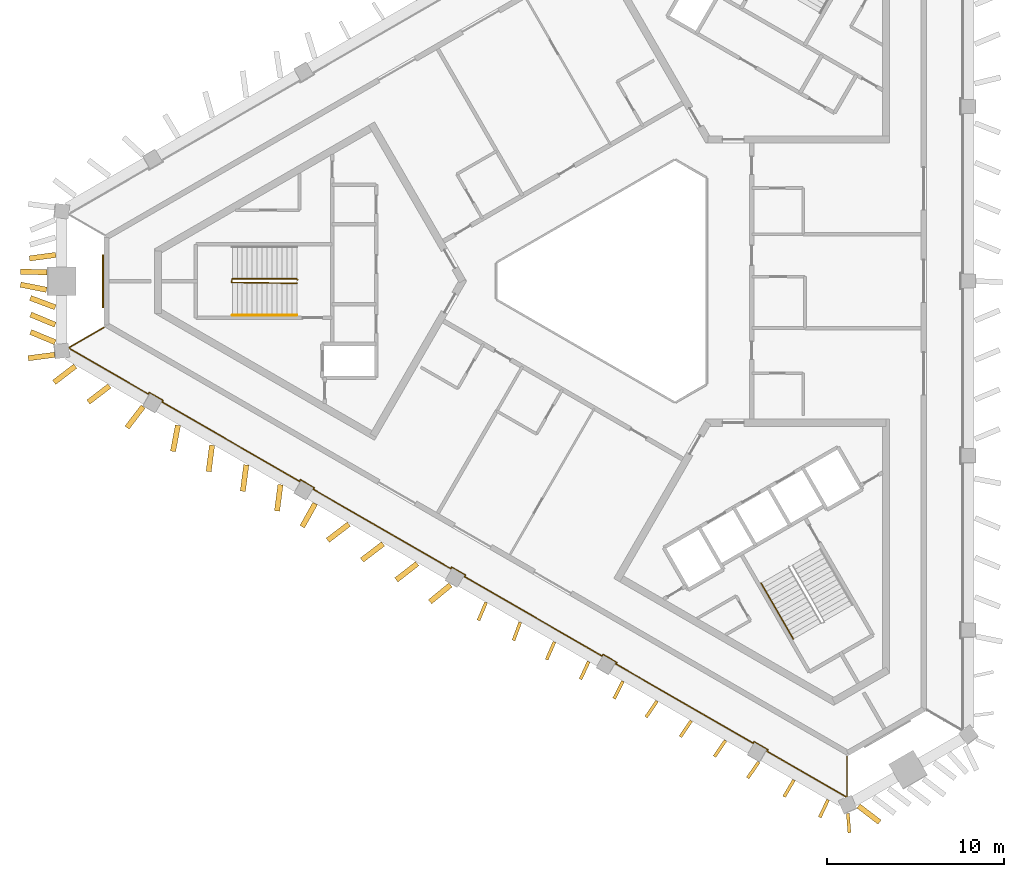
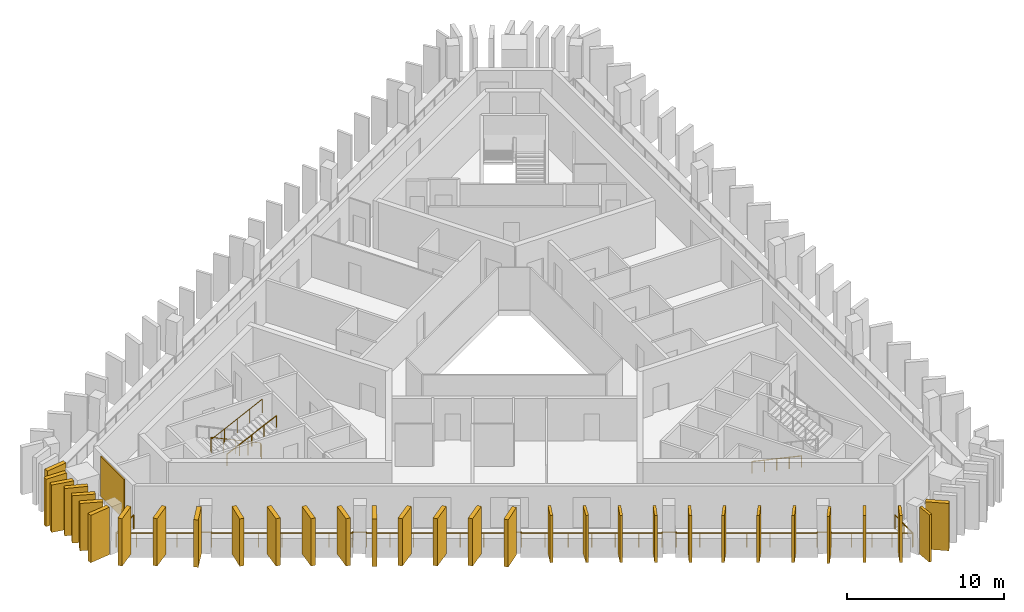
# One storey, part 7 of 9: 32 shading devices, 4 railings, 1 covering.
"""IFC4 building model written with IfcOpenShell, lengths in metres."""

from ifc_helpers import new_model, si_unit, direction, frame, frame_2d, origin, origin_2d, place, context, subcontext, project, spatial, rectangle, circle, extrude, material, layer, layer_set, type_object, element, save


model = new_model("IFC4")

# Units and contexts
model_context = context("Model", 3, precision=1e-05, world=origin(), true_north=direction((0.0, 1.0)))
body_context = subcontext(model_context, "Body", "Model", "MODEL_VIEW")
ifc_project = project(units=[si_unit("LENGTHUNIT", "METRE"), si_unit("AREAUNIT", "SQUARE_METRE"), si_unit("VOLUMEUNIT", "CUBIC_METRE"), si_unit("PLANEANGLEUNIT", "RADIAN"), si_unit("MASSUNIT", "GRAM", prefix="KILO")], contexts=[model_context])

# Site, building, storey
site_placement = place(None, origin())
site = spatial("IfcSite", under=ifc_project, at=site_placement, CompositionType="ELEMENT")
building_placement = place(site_placement, origin())
building = spatial("IfcBuilding", under=site, at=building_placement, Name="Jabali Bay Hotel Tower and Convention Centre", CompositionType="ELEMENT")
storey_placement = place(building_placement, frame((0.0, 0.0, 262.699951171875)))
storey = spatial("IfcBuildingStorey", under=building, at=storey_placement, Name="L64", CompositionType="ELEMENT", Elevation=262.699951171875)

# Railing
ifc_material_1 = material(Name="Glass", Category="glass")
railing_type_1 = type_object("IfcRailingType", Name="Loggia glass guard 1100", PredefinedType="BALUSTRADE", material=ifc_material_1)
railing_1_placement = place(storey_placement, frame((87.4716796875, 53.167236328125, 0.0)))
element("IfcRailing", 1, at=railing_1_placement, inside=storey, type_object=railing_type_1, Name="Loggia glass guard L64", PredefinedType="BALUSTRADE", context=body_context, shape_type="SweptSolid", body=[
    extrude(circle(Radius=0.02490234375, at=origin_2d()), frame((0.0, 0.0, 1.0751953125), z_axis=(0.0, -1.0, 0.0), x_axis=(0.991444861374, 0.0, 0.13052619222)), (0.0, 0.0, 1.0), 2.27490234375),
    extrude(circle(Radius=0.02490234375, at=origin_2d()), frame((0.0, -2.27490234375, 1.0751953125), z_axis=(-0.921146216294, -0.38921671111, 0.0), x_axis=(0.385886908191, -0.913265682719, 0.13052619222)), (0.0, 0.0, 1.0), 0.03759765625),
    extrude(circle(Radius=0.02490234375, at=origin_2d()), frame((-0.03466796875, -2.28955078125, 1.0751953125), z_axis=(-0.866009267952, 0.50002794704, 0.0), x_axis=(-0.495750138636, -0.858600438613, 0.13052619222)), (0.0, 0.0, 1.0), 5.165283203125),
    extrude(circle(Radius=0.02490234375, at=origin_2d()), frame((-4.5078125, 0.293212890625, 1.0751953125), z_axis=(0.501132629342, 0.865370491644, 0.0), x_axis=(-0.857967127125, 0.496845370228, 0.13052619222)), (0.0, 0.0, 1.0), 0.099853515625),
    extrude(circle(Radius=0.02490234375, at=origin_2d()), frame((-4.457763671875, 0.379638671875, 1.0751953125), z_axis=(-0.865964261186, 0.500105887137, 0.0), x_axis=(-0.495827411944, -0.858555816886, 0.13052619222)), (0.0, 0.0, 1.0), 0.900146484375),
    extrude(circle(Radius=0.02490234375, at=origin_2d()), frame((-5.2373046875, 0.829833984375, 1.0751953125), z_axis=(-0.4982416694, -0.867038199201, 0.0), x_axis=(0.859620567213, -0.493979142849, 0.13052619222)), (0.0, 0.0, 1.0), 0.099853515625),
    extrude(circle(Radius=0.02490234375, at=origin_2d()), frame((-5.287109375, 0.7431640625, 1.0751953125), z_axis=(-0.866025838688, 0.499999246724, 0.0), x_axis=(-0.495721683856, -0.858616867584, 0.13052619222)), (0.0, 0.0, 1.0), 8.95849609375),
    extrude(circle(Radius=0.02490234375, at=origin_2d()), frame((-13.04541015625, 5.222412109375, 1.0751953125), z_axis=(0.501132629342, 0.865370491644, 0.0), x_axis=(-0.857967127125, 0.496845370228, 0.13052619222)), (0.0, 0.0, 1.0), 0.099853515625),
    extrude(circle(Radius=0.02490234375, at=origin_2d()), frame((-12.995361328125, 5.308837890625, 1.0751953125), z_axis=(-0.865964261186, 0.500105887137, 0.0), x_axis=(-0.495827411944, -0.858555816886, 0.13052619222)), (0.0, 0.0, 1.0), 0.900146484375),
    extrude(circle(Radius=0.02490234375, at=origin_2d()), frame((-13.77490234375, 5.759033203125, 1.0751953125), z_axis=(-0.4982416694, -0.867038199201, 0.0), x_axis=(0.859620567213, -0.493979142849, 0.13052619222)), (0.0, 0.0, 1.0), 0.099853515625),
    extrude(circle(Radius=0.02490234375, at=origin_2d()), frame((-13.82470703125, 5.67236328125, 1.0751953125), z_axis=(-0.866025838688, 0.499999246724, 0.0), x_axis=(-0.495721683856, -0.858616867584, 0.13052619222)), (0.0, 0.0, 1.0), 8.95849609375),
    extrude(circle(Radius=0.02490234375, at=origin_2d()), frame((-21.5830078125, 10.151611328125, 1.0751953125), z_axis=(0.501132629342, 0.865370491644, 0.0), x_axis=(-0.857967127125, 0.496845370228, 0.13052619222)), (0.0, 0.0, 1.0), 0.099853515625),
    extrude(circle(Radius=0.02490234375, at=origin_2d()), frame((-21.532958984375, 10.238037109375, 1.0751953125), z_axis=(-0.865964261186, 0.500105887137, 0.0), x_axis=(-0.495827411944, -0.858555816886, 0.13052619222)), (0.0, 0.0, 1.0), 0.900146484375),
    extrude(circle(Radius=0.02490234375, at=origin_2d()), frame((-22.3125, 10.688232421875, 1.0751953125), z_axis=(-0.4982416694, -0.867038199201, 0.0), x_axis=(0.859620567213, -0.493979142849, 0.13052619222)), (0.0, 0.0, 1.0), 0.099853515625),
    extrude(circle(Radius=0.02490234375, at=origin_2d()), frame((-22.3623046875, 10.6015625, 1.0751953125), z_axis=(-0.866025838688, 0.499999246724, 0.0), x_axis=(-0.495721683856, -0.858616867584, 0.13052619222)), (0.0, 0.0, 1.0), 8.95849609375),
    extrude(circle(Radius=0.02490234375, at=origin_2d()), frame((-30.12060546875, 15.080810546875, 1.0751953125), z_axis=(0.501132629342, 0.865370491644, 0.0), x_axis=(-0.857967127125, 0.496845370228, 0.13052619222)), (0.0, 0.0, 1.0), 0.099853515625),
    extrude(circle(Radius=0.02490234375, at=origin_2d()), frame((-30.070556640625, 15.167236328125, 1.0751953125), z_axis=(-0.865964261186, 0.500105887137, 0.0), x_axis=(-0.495827411944, -0.858555816886, 0.13052619222)), (0.0, 0.0, 1.0), 0.900146484375),
    extrude(circle(Radius=0.02490234375, at=origin_2d()), frame((-30.85009765625, 15.617431640625, 1.0751953125), z_axis=(-0.4982416694, -0.867038199201, 0.0), x_axis=(0.859620567213, -0.493979142849, 0.13052619222)), (0.0, 0.0, 1.0), 0.099853515625),
    extrude(circle(Radius=0.02490234375, at=origin_2d()), frame((-30.89990234375, 15.53076171875, 1.0751953125), z_axis=(-0.866025838688, 0.499999246724, 0.0), x_axis=(-0.495721683856, -0.858616867584, 0.13052619222)), (0.0, 0.0, 1.0), 8.95849609375),
    extrude(circle(Radius=0.02490234375, at=origin_2d()), frame((-38.658203125, 20.010009765625, 1.0751953125), z_axis=(0.501132629342, 0.865370491644, 0.0), x_axis=(-0.857967127125, 0.496845370228, 0.13052619222)), (0.0, 0.0, 1.0), 0.099853515625),
    extrude(circle(Radius=0.02490234375, at=origin_2d()), frame((-38.608154296875, 20.096435546875, 1.0751953125), z_axis=(-0.866081705922, 0.499902469156, 0.0), x_axis=(-0.495625734232, -0.858672256866, 0.13052619222)), (0.0, 0.0, 1.0), 0.900146484375),
    extrude(circle(Radius=0.02490234375, at=origin_2d()), frame((-39.3876953125, 20.54638671875, 1.0751953125), z_axis=(-0.499298623879, -0.866429964967, 0.0), x_axis=(0.859017536507, -0.495027054936, 0.13052619222)), (0.0, 0.0, 1.0), 0.099853515625),
    extrude(circle(Radius=0.02490234375, at=origin_2d()), frame((-39.4375, 20.4599609375, 1.0751953125), z_axis=(-0.866041551011, 0.499972031141, 0.0), x_axis=(-0.495694701105, -0.858632445486, 0.13052619222)), (0.0, 0.0, 1.0), 5.165283203125),
    extrude(circle(Radius=0.02490234375, at=origin_2d()), frame((-43.910888671875, 23.04248046875, 1.0751953125), z_axis=(-0.124034734589, 0.992277876714, 0.0), x_axis=(-0.983788801923, -0.12297360024, 0.13052619222)), (0.0, 0.0, 1.0), 0.037353515625),
    extrude(circle(Radius=0.02490234375, at=origin_2d()), frame((-43.91552734375, 23.07958984375, 1.0751953125), z_axis=(0.866035472144, 0.499982560684, 0.0), x_axis=(-0.495705140567, 0.858626418625, 0.13052619222)), (0.0, 0.0, 1.0), 2.27490234375),
    extrude(circle(Radius=0.02001953125, at=origin_2d()), origin(), (0.0, 0.0, 1.0), 1.050048828125),
    extrude(circle(Radius=0.02001953125, at=origin_2d()), frame((0.0, -1.137451171875, 0.0)), (0.0, 0.0, 1.0), 1.050048828125),
    extrude(circle(Radius=0.02001953125, at=origin_2d()), frame((0.0, -2.27490234375, 0.0)), (0.0, 0.0, 1.0), 1.050048828125),
    extrude(circle(Radius=0.02001953125, at=origin_2d()), frame((-0.03466796875, -2.28955078125, 0.0)), (0.0, 0.0, 1.0), 1.050048828125),
    extrude(circle(Radius=0.02001953125, at=origin_2d()), frame((-1.15283203125, -1.643798828125, 0.0)), (0.0, 0.0, 1.0), 1.050048828125),
    extrude(circle(Radius=0.02001953125, at=origin_2d()), frame((-2.271240234375, -0.998046875, 0.0)), (0.0, 0.0, 1.0), 1.050048828125),
    extrude(circle(Radius=0.02001953125, at=origin_2d()), frame((-3.3896484375, -0.3525390625, 0.0)), (0.0, 0.0, 1.0), 1.050048828125),
    extrude(circle(Radius=0.02001953125, at=origin_2d()), frame((-4.5078125, 0.293212890625, 0.0)), (0.0, 0.0, 1.0), 1.050048828125),
    extrude(circle(Radius=0.02001953125, at=origin_2d()), frame((-4.457763671875, 0.379638671875, 0.0)), (0.0, 0.0, 1.0), 1.050048828125),
    extrude(circle(Radius=0.02001953125, at=origin_2d()), frame((-5.2373046875, 0.829833984375, 0.0)), (0.0, 0.0, 1.0), 1.050048828125),
    extrude(circle(Radius=0.02001953125, at=origin_2d()), frame((-5.287109375, 0.7431640625, 0.0)), (0.0, 0.0, 1.0), 1.050048828125),
    extrude(circle(Radius=0.02001953125, at=origin_2d()), frame((-6.580078125, 1.48974609375, 0.0)), (0.0, 0.0, 1.0), 1.050048828125),
    extrude(circle(Radius=0.02001953125, at=origin_2d()), frame((-7.873291015625, 2.236328125, 0.0)), (0.0, 0.0, 1.0), 1.050048828125),
    extrude(circle(Radius=0.02001953125, at=origin_2d()), frame((-9.166259765625, 2.98291015625, 0.0)), (0.0, 0.0, 1.0), 1.050048828125),
    extrude(circle(Radius=0.02001953125, at=origin_2d()), frame((-10.459228515625, 3.729248046875, 0.0)), (0.0, 0.0, 1.0), 1.050048828125),
    extrude(circle(Radius=0.02001953125, at=origin_2d()), frame((-11.75244140625, 4.475830078125, 0.0)), (0.0, 0.0, 1.0), 1.050048828125),
    extrude(circle(Radius=0.02001953125, at=origin_2d()), frame((-13.04541015625, 5.222412109375, 0.0)), (0.0, 0.0, 1.0), 1.050048828125),
    extrude(circle(Radius=0.02001953125, at=origin_2d()), frame((-12.995361328125, 5.308837890625, 0.0)), (0.0, 0.0, 1.0), 1.050048828125),
    extrude(circle(Radius=0.02001953125, at=origin_2d()), frame((-13.77490234375, 5.759033203125, 0.0)), (0.0, 0.0, 1.0), 1.050048828125),
    extrude(circle(Radius=0.02001953125, at=origin_2d()), frame((-13.82470703125, 5.67236328125, 0.0)), (0.0, 0.0, 1.0), 1.050048828125),
    extrude(circle(Radius=0.02001953125, at=origin_2d()), frame((-15.11767578125, 6.4189453125, 0.0)), (0.0, 0.0, 1.0), 1.050048828125),
    extrude(circle(Radius=0.02001953125, at=origin_2d()), frame((-16.410888671875, 7.16552734375, 0.0)), (0.0, 0.0, 1.0), 1.050048828125),
    extrude(circle(Radius=0.02001953125, at=origin_2d()), frame((-17.703857421875, 7.912109375, 0.0)), (0.0, 0.0, 1.0), 1.050048828125),
    extrude(circle(Radius=0.02001953125, at=origin_2d()), frame((-18.996826171875, 8.658447265625, 0.0)), (0.0, 0.0, 1.0), 1.050048828125),
    extrude(circle(Radius=0.02001953125, at=origin_2d()), frame((-20.2900390625, 9.405029296875, 0.0)), (0.0, 0.0, 1.0), 1.050048828125),
    extrude(circle(Radius=0.02001953125, at=origin_2d()), frame((-21.5830078125, 10.151611328125, 0.0)), (0.0, 0.0, 1.0), 1.050048828125),
    extrude(circle(Radius=0.02001953125, at=origin_2d()), frame((-21.532958984375, 10.238037109375, 0.0)), (0.0, 0.0, 1.0), 1.050048828125),
    extrude(circle(Radius=0.02001953125, at=origin_2d()), frame((-22.3125, 10.688232421875, 0.0)), (0.0, 0.0, 1.0), 1.050048828125),
    extrude(circle(Radius=0.02001953125, at=origin_2d()), frame((-22.3623046875, 10.6015625, 0.0)), (0.0, 0.0, 1.0), 1.050048828125),
    extrude(circle(Radius=0.02001953125, at=origin_2d()), frame((-23.6552734375, 11.34814453125, 0.0)), (0.0, 0.0, 1.0), 1.050048828125),
    extrude(circle(Radius=0.02001953125, at=origin_2d()), frame((-24.948486328125, 12.0947265625, 0.0)), (0.0, 0.0, 1.0), 1.050048828125),
    extrude(circle(Radius=0.02001953125, at=origin_2d()), frame((-26.241455078125, 12.84130859375, 0.0)), (0.0, 0.0, 1.0), 1.050048828125),
    extrude(circle(Radius=0.02001953125, at=origin_2d()), frame((-27.534423828125, 13.587646484375, 0.0)), (0.0, 0.0, 1.0), 1.050048828125),
    extrude(circle(Radius=0.02001953125, at=origin_2d()), frame((-28.82763671875, 14.334228515625, 0.0)), (0.0, 0.0, 1.0), 1.050048828125),
    extrude(circle(Radius=0.02001953125, at=origin_2d()), frame((-30.12060546875, 15.080810546875, 0.0)), (0.0, 0.0, 1.0), 1.050048828125),
    extrude(circle(Radius=0.02001953125, at=origin_2d()), frame((-30.070556640625, 15.167236328125, 0.0)), (0.0, 0.0, 1.0), 1.050048828125),
    extrude(circle(Radius=0.02001953125, at=origin_2d()), frame((-30.85009765625, 15.617431640625, 0.0)), (0.0, 0.0, 1.0), 1.050048828125),
    extrude(circle(Radius=0.02001953125, at=origin_2d()), frame((-30.89990234375, 15.53076171875, 0.0)), (0.0, 0.0, 1.0), 1.050048828125),
    extrude(circle(Radius=0.02001953125, at=origin_2d()), frame((-32.19287109375, 16.27734375, 0.0)), (0.0, 0.0, 1.0), 1.050048828125),
    extrude(circle(Radius=0.02001953125, at=origin_2d()), frame((-33.486083984375, 17.02392578125, 0.0)), (0.0, 0.0, 1.0), 1.050048828125),
    extrude(circle(Radius=0.02001953125, at=origin_2d()), frame((-34.779052734375, 17.7705078125, 0.0)), (0.0, 0.0, 1.0), 1.050048828125),
    extrude(circle(Radius=0.02001953125, at=origin_2d()), frame((-36.072021484375, 18.516845703125, 0.0)), (0.0, 0.0, 1.0), 1.050048828125),
    extrude(circle(Radius=0.02001953125, at=origin_2d()), frame((-37.365234375, 19.263427734375, 0.0)), (0.0, 0.0, 1.0), 1.050048828125),
    extrude(circle(Radius=0.02001953125, at=origin_2d()), frame((-38.658203125, 20.010009765625, 0.0)), (0.0, 0.0, 1.0), 1.050048828125),
    extrude(circle(Radius=0.02001953125, at=origin_2d()), frame((-38.608154296875, 20.096435546875, 0.0)), (0.0, 0.0, 1.0), 1.050048828125),
    extrude(circle(Radius=0.02001953125, at=origin_2d()), frame((-39.3876953125, 20.54638671875, 0.0)), (0.0, 0.0, 1.0), 1.050048828125),
    extrude(circle(Radius=0.02001953125, at=origin_2d()), frame((-39.4375, 20.4599609375, 0.0)), (0.0, 0.0, 1.0), 1.050048828125),
    extrude(circle(Radius=0.02001953125, at=origin_2d()), frame((-40.555908203125, 21.10546875, 0.0)), (0.0, 0.0, 1.0), 1.050048828125),
    extrude(circle(Radius=0.02001953125, at=origin_2d()), frame((-41.67431640625, 21.751220703125, 0.0)), (0.0, 0.0, 1.0), 1.050048828125),
    extrude(circle(Radius=0.02001953125, at=origin_2d()), frame((-42.79248046875, 22.39697265625, 0.0)), (0.0, 0.0, 1.0), 1.050048828125),
    extrude(circle(Radius=0.02001953125, at=origin_2d()), frame((-43.910888671875, 23.04248046875, 0.0)), (0.0, 0.0, 1.0), 1.050048828125),
    extrude(circle(Radius=0.02001953125, at=origin_2d()), frame((-43.91552734375, 23.07958984375, 0.0)), (0.0, 0.0, 1.0), 1.050048828125),
    extrude(circle(Radius=0.02001953125, at=origin_2d()), frame((-42.930419921875, 23.6484375, 0.0)), (0.0, 0.0, 1.0), 1.050048828125),
    extrude(circle(Radius=0.02001953125, at=origin_2d()), frame((-41.9453125, 24.217041015625, 0.0)), (0.0, 0.0, 1.0), 1.050048828125),
])

# Shading devices
ifc_material_2 = material(Name="Precast concrete C60", Category="concrete")
ifc_layer_1 = layer(ifc_material_2, 0.179931640625)
ifc_layer_set_1 = layer_set([ifc_layer_1], Name="Precast concrete C60")
shading_device_type_1 = type_object("IfcShadingDeviceType", Name="Precast fin 3680 x 1100", PredefinedType="USERDEFINED", material=ifc_layer_set_1)
for number, where, z_axis, x_axis, name in (
    (2, (67.1025390625, 61.86328125, 0.010009765625), (0.0, 0.0, 1.0), (-0.389763082278, -0.920915164221, 0.0), "Fin L64 074"),
    (3, (69.030517578125, 60.745361328125, 0.010009765625), (0.0, 0.0, 1.0), (-0.345839082505, -0.938293839377, 0.0), "Fin L64 075"),
):
    element("IfcShadingDevice", number, at=place(storey_placement, frame(where, z_axis=z_axis, x_axis=x_axis)), inside=storey, type_object=shading_device_type_1, Name=name, ObjectType="FIN", PredefinedType="USERDEFINED", context=body_context, shape_type="SweptSolid", body=[
        extrude(rectangle(XDim=1.099853515625, YDim=0.179931640625, at=frame_2d((0.5498046875, 0.0))), origin(), (0.0, 0.0, 1.0), 3.679931640625),
    ])
for number, where, z_axis, x_axis, name in (
    (4, (70.963623046875, 59.6357421875, 0.010009765625), (0.0, 0.0, 1.0), (-0.403006328681, -0.915197191344, 0.0), "Fin L64 076"),
    (5, (72.894775390625, 58.52294921875, 0.010009765625), (0.0, 0.0, 1.0), (-0.421645887822, -0.906760577706, 0.0), "Fin L64 077"),
):
    element("IfcShadingDevice", number, at=place(storey_placement, frame(where, z_axis=z_axis, x_axis=x_axis)), inside=storey, type_object=shading_device_type_1, Name=name, ObjectType="FIN", PredefinedType="USERDEFINED", context=body_context, shape_type="SweptSolid", body=[
        extrude(rectangle(XDim=1.10009765625, YDim=0.179931640625, at=frame_2d((0.550048828125, 0.0))), origin(), (0.0, 0.0, 1.0), 3.679931640625),
    ])
shading_device_1_placement = place(storey_placement, frame((74.82666015625, 57.4111328125, 0.010009765625), z_axis=(0.0, 0.0, 1.0), x_axis=(-0.454125268401, -0.890937843286, 0.0)))
element("IfcShadingDevice", 6, at=shading_device_1_placement, inside=storey, type_object=shading_device_type_1, Name="Fin L64 078", ObjectType="FIN", PredefinedType="USERDEFINED", context=body_context, shape_type="SweptSolid", body=[
    extrude(rectangle(XDim=1.099853515625, YDim=0.179931640625, at=frame_2d((0.5498046875, 0.0))), origin(), (0.0, 0.0, 1.0), 3.679931640625),
])
for number, where, z_axis, x_axis, name in (
    (7, (76.755615234375, 56.294677734375, 0.010009765625), (0.0, 0.0, 1.0), (-0.567743328838, -0.823205632002, 0.0), "Fin L64 079"),
    (8, (78.685791015625, 55.18017578125, 0.010009765625), (0.0, 0.0, 1.0), (-0.567489177377, -0.823380855717, 0.0), "Fin L64 080"),
    (9, (80.615966796875, 54.06591796875, 0.010009765625), (0.0, 0.0, 1.0), (-0.567084454292, -0.823659651616, 0.0), "Fin L64 081"),
    (10, (82.492431640625, 52.8583984375, 0.010009765625), (0.0, 0.0, 1.0), (-0.567084454292, -0.823659651616, 0.0), "Fin L64 082"),
):
    element("IfcShadingDevice", number, at=place(storey_placement, frame(where, z_axis=z_axis, x_axis=x_axis)), inside=storey, type_object=shading_device_type_1, Name=name, ObjectType="FIN", PredefinedType="USERDEFINED", context=body_context, shape_type="SweptSolid", body=[
        extrude(rectangle(XDim=1.10009765625, YDim=0.179931640625, at=frame_2d((0.550048828125, 0.0))), origin(), (0.0, 0.0, 1.0), 3.679931640625),
    ])
shading_device_2_placement = place(storey_placement, frame((84.479736328125, 51.8427734375, 0.010009765625), z_axis=(0.0, 0.0, 1.0), x_axis=(-0.505195330181, -0.863005028006, 0.0)))
element("IfcShadingDevice", 11, at=shading_device_2_placement, inside=storey, type_object=shading_device_type_1, Name="Fin L64 083", ObjectType="FIN", PredefinedType="USERDEFINED", context=body_context, shape_type="SweptSolid", body=[
    extrude(rectangle(XDim=1.099853515625, YDim=0.179931640625, at=frame_2d((0.5498046875, 0.0))), origin(), (0.0, 0.0, 1.0), 3.679931640625),
])
shading_device_3_placement = place(storey_placement, frame((86.40673828125, 50.72265625, 0.010009765625), z_axis=(0.0, 0.0, 1.0), x_axis=(-0.429459687257, -0.90308602969, 0.0)))
element("IfcShadingDevice", 12, at=shading_device_3_placement, inside=storey, type_object=shading_device_type_1, Name="Fin L64 084", ObjectType="FIN", PredefinedType="USERDEFINED", context=body_context, shape_type="SweptSolid", body=[
    extrude(rectangle(XDim=1.10009765625, YDim=0.179931640625, at=frame_2d((0.550048828125, 0.0))), origin(), (0.0, 0.0, 1.0), 3.679931640625),
])
shading_device_4_placement = place(storey_placement, frame((87.521484375, 49.9599609375, 0.010009765625), z_axis=(0.0, 0.0, 1.0), x_axis=(0.07990401303, -0.996802562548, 0.0)))
element("IfcShadingDevice", 13, at=shading_device_4_placement, inside=storey, type_object=shading_device_type_1, Name="Fin L64 098", ObjectType="FIN", PredefinedType="USERDEFINED", context=body_context, shape_type="SweptSolid", body=[
    extrude(rectangle(XDim=1.099853515625, YDim=0.179931640625, at=frame_2d((0.5498046875, 0.0))), origin(), (0.0, 0.0, 1.0), 3.679931640625),
])
ifc_layer_2 = layer(ifc_material_2, 0.300048828125)
ifc_layer_set_2 = layer_set([ifc_layer_2], Name="Precast concrete C60")
shading_device_type_2 = type_object("IfcShadingDeviceType", Name="Precast fin 3680 x 1500", PredefinedType="USERDEFINED", material=ifc_layer_set_2)
for number, where, z_axis, x_axis, name in (
    (14, (42.8193359375, 81.478759765625, 0.010009765625), (0.0, 0.0, 1.0), (-0.990743797425, -0.135745084122, 0.0), "Fin L64 056"),
    (15, (42.32275390625, 80.492919921875, 0.010009765625), (0.0, 0.0, 1.0), (-0.999608121056, 0.02799293338, 0.0), "Fin L64 057"),
):
    element("IfcShadingDevice", number, at=place(storey_placement, frame(where, z_axis=z_axis, x_axis=x_axis)), inside=storey, type_object=shading_device_type_2, Name=name, ObjectType="FIN", PredefinedType="USERDEFINED", context=body_context, shape_type="SweptSolid", body=[
        extrude(rectangle(XDim=1.5, YDim=0.300048828125, at=frame_2d((0.75, 0.0))), origin(), (0.0, 0.0, 1.0), 3.679931640625),
    ])
shading_device_5_placement = place(storey_placement, frame((42.297607421875, 79.507080078125, 0.010009765625), z_axis=(0.0, 0.0, 1.0), x_axis=(-0.980711904724, 0.195458844602, 0.0)))
element("IfcShadingDevice", 16, at=shading_device_5_placement, inside=storey, type_object=shading_device_type_2, Name="Fin L64 058", ObjectType="FIN", PredefinedType="USERDEFINED", context=body_context, shape_type="SweptSolid", body=[
    extrude(rectangle(XDim=1.500244140625, YDim=0.300048828125, at=frame_2d((0.75, 0.0))), origin(), (0.0, 0.0, 1.0), 3.679931640625),
])
shading_device_6_placement = place(storey_placement, frame((42.787353515625, 78.521240234375, 0.010009765625), z_axis=(0.0, 0.0, 1.0), x_axis=(-0.937195868054, 0.348803533386, 0.0)))
element("IfcShadingDevice", 17, at=shading_device_6_placement, inside=storey, type_object=shading_device_type_2, Name="Fin L64 059", ObjectType="FIN", PredefinedType="USERDEFINED", context=body_context, shape_type="SweptSolid", body=[
    extrude(rectangle(XDim=1.5, YDim=0.300048828125, at=frame_2d((0.75, 0.0))), origin(), (0.0, 0.0, 1.0), 3.679931640625),
])
shading_device_7_placement = place(storey_placement, frame((42.781982421875, 77.53515625, 0.010009765625), z_axis=(0.0, 0.0, 1.0), x_axis=(-0.923096181819, 0.384569160374, 0.0)))
element("IfcShadingDevice", 18, at=shading_device_7_placement, inside=storey, type_object=shading_device_type_2, Name="Fin L64 060", ObjectType="FIN", PredefinedType="USERDEFINED", context=body_context, shape_type="SweptSolid", body=[
    extrude(rectangle(XDim=1.500244140625, YDim=0.300048828125, at=frame_2d((0.75, 0.0))), origin(), (0.0, 0.0, 1.0), 3.679931640625),
])
for number, where, z_axis, x_axis, name in (
    (19, (42.781982421875, 76.54931640625, 0.010009765625), (0.0, 0.0, 1.0), (-0.923153948977, 0.38443047029, 0.0), "Fin L64 061"),
    (20, (43.91650390625, 75.196044921875, 0.010009765625), (0.0, 0.0, 1.0), (-0.794537958448, -0.607214486475, 0.0), "Fin L64 062"),
    (21, (45.8466796875, 74.08154296875, 0.010009765625), (0.0, 0.0, 1.0), (-0.794616478363, -0.607111729679, 0.0), "Fin L64 063"),
    (22, (47.748291015625, 72.917724609375, 0.010009765625), (0.0, 0.0, 1.0), (-0.607860803134, -0.794043603345, 0.0), "Fin L64 064"),
    (23, (49.711181640625, 71.85986328125, 0.010009765625), (0.0, 0.0, 1.0), (-0.185369312141, -0.982668925995, 0.0), "Fin L64 065"),
    (24, (51.637451171875, 70.73828125, 0.010009765625), (0.0, 0.0, 1.0), (-0.128740771471, -0.99167828138, 0.0), "Fin L64 066"),
    (25, (53.567626953125, 69.6240234375, 0.010009765625), (0.0, 0.0, 1.0), (-0.128580707026, -0.991699047988, 0.0), "Fin L64 067"),
    (26, (55.497802734375, 68.509521484375, 0.010009765625), (0.0, 0.0, 1.0), (-0.128580707026, -0.991699047988, 0.0), "Fin L64 068"),
    (27, (57.455810546875, 67.443359375, 0.010009765625), (0.0, 0.0, 1.0), (-0.488266323653, -0.872694675809, 0.0), "Fin L64 069"),
):
    element("IfcShadingDevice", number, at=place(storey_placement, frame(where, z_axis=z_axis, x_axis=x_axis)), inside=storey, type_object=shading_device_type_2, Name=name, ObjectType="FIN", PredefinedType="USERDEFINED", context=body_context, shape_type="SweptSolid", body=[
        extrude(rectangle(XDim=1.5, YDim=0.300048828125, at=frame_2d((0.75, 0.0))), origin(), (0.0, 0.0, 1.0), 3.679931640625),
    ])
shading_device_8_placement = place(storey_placement, frame((59.3583984375, 66.28076171875, 0.010009765625), z_axis=(0.0, 0.0, 1.0), x_axis=(-0.794320878054, -0.607498430194, 0.0)))
element("IfcShadingDevice", 28, at=shading_device_8_placement, inside=storey, type_object=shading_device_type_2, Name="Fin L64 070", ObjectType="FIN", PredefinedType="USERDEFINED", context=body_context, shape_type="SweptSolid", body=[
    extrude(rectangle(XDim=1.500244140625, YDim=0.300048828125, at=frame_2d((0.75, 0.0))), origin(), (0.0, 0.0, 1.0), 3.679931640625),
])
shading_device_9_placement = place(storey_placement, frame((61.28857421875, 65.16650390625, 0.010009765625), z_axis=(0.0, 0.0, 1.0), x_axis=(-0.793488457169, -0.608585300791, 0.0)))
element("IfcShadingDevice", 29, at=shading_device_9_placement, inside=storey, type_object=shading_device_type_2, Name="Fin L64 071", ObjectType="FIN", PredefinedType="USERDEFINED", context=body_context, shape_type="SweptSolid", body=[
    extrude(rectangle(XDim=1.5, YDim=0.300048828125, at=frame_2d((0.75, 0.0))), origin(), (0.0, 0.0, 1.0), 3.679931640625),
])
shading_device_10_placement = place(storey_placement, frame((63.21923828125, 64.052734375, 0.010009765625), z_axis=(0.0, 0.0, 1.0), x_axis=(-0.789807783405, -0.613354436906, 0.0)))
element("IfcShadingDevice", 30, at=shading_device_10_placement, inside=storey, type_object=shading_device_type_2, Name="Fin L64 072", ObjectType="FIN", PredefinedType="USERDEFINED", context=body_context, shape_type="SweptSolid", body=[
    extrude(rectangle(XDim=1.499755859375, YDim=0.300048828125, at=frame_2d((0.75, 0.0))), origin(), (0.0, 0.0, 1.0), 3.679931640625),
])
shading_device_11_placement = place(storey_placement, frame((65.09765625, 62.8486328125, 0.010009765625), z_axis=(0.0, 0.0, 1.0), x_axis=(-0.773318854458, -0.634017309968, 0.0)))
element("IfcShadingDevice", 31, at=shading_device_11_placement, inside=storey, type_object=shading_device_type_2, Name="Fin L64 073", ObjectType="FIN", PredefinedType="USERDEFINED", context=body_context, shape_type="SweptSolid", body=[
    extrude(rectangle(XDim=1.500244140625, YDim=0.300048828125, at=frame_2d((0.75, 0.0))), origin(), (0.0, 0.0, 1.0), 3.679931640625),
])
for number, where, z_axis, x_axis, name in (
    (32, (88.12060546875, 50.373046875, 0.010009765625), (0.0, 0.0, 1.0), (0.794537958448, -0.607214486475, 0.0), "Fin L64 085"),
    (33, (42.74951171875, 75.8388671875, 0.010009765625), (0.0, 0.0, 1.0), (-0.991699047988, -0.128580707026, 0.0), "Fin L64 097"),
):
    element("IfcShadingDevice", number, at=place(storey_placement, frame(where, z_axis=z_axis, x_axis=x_axis)), inside=storey, type_object=shading_device_type_2, Name=name, ObjectType="FIN", PredefinedType="USERDEFINED", context=body_context, shape_type="SweptSolid", body=[
        extrude(rectangle(XDim=1.5, YDim=0.300048828125, at=frame_2d((0.75, 0.0))), origin(), (0.0, 0.0, 1.0), 3.679931640625),
    ])

# Covering
ifc_material_3 = material(Name="Precast concrete C40/50", Category="concrete")
ifc_layer_3 = layer(ifc_material_3, 0.080078125)
ifc_layer_set_3 = layer_set([ifc_layer_3], Name="Precast concrete C40/50")
covering_type = type_object("IfcCoveringType", Name="Relief panel 3000 x 3100", PredefinedType="CLADDING", material=ifc_layer_set_3)
covering_placement = place(storey_placement, frame((45.486328125, 80.0, 0.10009765625), z_axis=(0.0, 0.0, 1.0), x_axis=(0.0, 1.0, 0.0)))
element("IfcCovering", 34, at=covering_placement, inside=storey, type_object=covering_type, Name="Relief panel L64", PredefinedType="CLADDING", context=body_context, shape_type="SweptSolid", body=[
    extrude(rectangle(XDim=3.0, YDim=0.080078125, at=origin_2d()), origin(), (0.0, 0.0, 1.0), 3.10009765625),
])

# Railings
ifc_material_4 = material(Name="Steel Q355B", Category="steel")
railing_type_2 = type_object("IfcRailingType", Name="Stair guard 1100", PredefinedType="GUARDRAIL", material=ifc_material_4)
railing_2_placement = place(storey_placement, frame((56.469970703125, 80.074951171875, 0.0)))
element("IfcRailing", 35, at=railing_2_placement, inside=storey, type_object=railing_type_2, Name="L64 ST1 stair guard 1", PredefinedType="GUARDRAIL", context=body_context, shape_type="SweptSolid", body=[
    extrude(circle(Radius=0.02392578125, at=origin_2d()), frame((0.0, 0.0, 1.076171875), z_axis=(-0.333993628408, 0.333993628408, 0.881417331555), x_axis=(-0.707106781187, -0.707106781187, 0.0)), (0.0, 0.0, 1.0), 0.14990234375),
    extrude(circle(Radius=0.02392578125, at=origin_2d()), frame((-0.050048828125, 0.050048828125, 1.2080078125), z_axis=(-0.904327350853, 0.0, 0.426839598092), x_axis=(0.0, -1.0, 0.0)), (0.0, 0.0, 1.0), 4.02490234375),
    extrude(circle(Radius=0.02392578125, at=origin_2d()), frame((-3.68994140625, 0.050048828125, 2.92626953125), z_axis=(-0.242814311512, -0.970072785993, 0.0), x_axis=(0.970072785993, -0.242814311512, 0.0)), (0.0, 0.0, 1.0), 0.2060546875),
    extrude(circle(Radius=0.02392578125, at=origin_2d()), frame((-3.739990234375, -0.14990234375, 2.92626953125), z_axis=(0.893887803671, -0.012124321804, 0.4481267625), x_axis=(0.013562335953, 0.999908027292, 0.0)), (0.0, 0.0, 1.0), 4.1279296875),
    extrude(circle(Radius=0.02099609375, at=origin_2d()), origin(), (0.0, 0.0, 1.0), 1.052001953125),
    extrude(circle(Radius=0.02099609375, at=origin_2d()), frame((-0.050048828125, 0.050048828125, 0.132080078125)), (0.0, 0.0, 1.0), 1.052001953125),
    extrude(circle(Radius=0.02099609375, at=origin_2d()), frame((-0.9599609375, 0.050048828125, 0.5615234375)), (0.0, 0.0, 1.0), 1.052001953125),
    extrude(circle(Radius=0.02099609375, at=origin_2d()), frame((-1.8701171875, 0.050048828125, 0.9912109375)), (0.0, 0.0, 1.0), 1.052001953125),
    extrude(circle(Radius=0.02099609375, at=origin_2d()), frame((-2.780029296875, 0.050048828125, 1.420654296875)), (0.0, 0.0, 1.0), 1.052001953125),
    extrude(circle(Radius=0.02099609375, at=origin_2d()), frame((-3.68994140625, 0.050048828125, 1.85009765625)), (0.0, 0.0, 1.0), 1.052001953125),
    extrude(circle(Radius=0.02099609375, at=origin_2d()), frame((-3.739990234375, -0.14990234375, 1.85009765625)), (0.0, 0.0, 1.0), 1.052001953125),
    extrude(circle(Radius=0.02099609375, at=origin_2d()), frame((-2.8173828125, -0.162353515625, 2.3125)), (0.0, 0.0, 1.0), 1.052001953125),
    extrude(circle(Radius=0.02099609375, at=origin_2d()), frame((-1.89501953125, -0.1748046875, 2.77490234375)), (0.0, 0.0, 1.0), 1.052001953125),
    extrude(circle(Radius=0.02099609375, at=origin_2d()), frame((-0.97265625, -0.1875, 3.237548828125)), (0.0, 0.0, 1.0), 1.052001953125),
    extrude(circle(Radius=0.02099609375, at=origin_2d()), frame((-0.050048828125, -0.199951171875, 3.699951171875)), (0.0, 0.0, 1.0), 1.052001953125),
])
railing_type_3 = type_object("IfcRailingType", Name="Stair handrail 900", PredefinedType="HANDRAIL", material=ifc_material_4)
railing_3_placement = place(storey_placement, frame((52.780029296875, 78.074951171875, 1.982177734375)))
element("IfcRailing", 36, at=railing_3_placement, inside=storey, type_object=railing_type_3, Name="L64 ST1 stair handrail 2", PredefinedType="HANDRAIL", context=body_context, shape_type="SweptSolid", body=[
    extrude(circle(Radius=0.02392578125, at=origin_2d()), frame((0.0, 0.0, 0.8759765625), z_axis=(0.904350763662, 0.0, 0.426789990819), x_axis=(0.0, 1.0, 0.0)), (0.0, 0.0, 1.0), 4.02490234375),
    extrude(circle(Radius=0.02099609375, at=origin_2d()), origin(), (0.0, 0.0, 1.0), 0.851806640625),
    extrude(circle(Radius=0.02099609375, at=origin_2d()), frame((0.909912109375, 0.0, 0.429443359375)), (0.0, 0.0, 1.0), 0.851806640625),
    extrude(circle(Radius=0.02099609375, at=origin_2d()), frame((1.81982421875, 0.0, 0.85888671875)), (0.0, 0.0, 1.0), 0.851806640625),
    extrude(circle(Radius=0.02099609375, at=origin_2d()), frame((2.72998046875, 0.0, 1.288330078125)), (0.0, 0.0, 1.0), 0.851806640625),
    extrude(circle(Radius=0.02099609375, at=origin_2d()), frame((3.639892578125, 0.0, 1.7177734375)), (0.0, 0.0, 1.0), 0.851806640625),
])
railing_4_placement = place(storey_placement, frame((82.622802734375, 62.94677734375, 0.132080078125)))
element("IfcRailing", 37, at=railing_4_placement, inside=storey, type_object=railing_type_3, Name="L64 ST3 stair handrail 1", PredefinedType="HANDRAIL", context=body_context, shape_type="SweptSolid", body=[
    extrude(circle(Radius=0.02392578125, at=origin_2d()), frame((0.0, 0.0, 0.8759765625), z_axis=(0.45217862506, -0.783169739339, 0.426825081763), x_axis=(0.866018046521, 0.500012742938, 0.0)), (0.0, 0.0, 1.0), 4.025146484375),
    extrude(circle(Radius=0.02099609375, at=origin_2d()), origin(), (0.0, 0.0, 1.0), 0.851806640625),
    extrude(circle(Radius=0.02099609375, at=origin_2d()), frame((0.455078125, -0.7880859375, 0.429443359375)), (0.0, 0.0, 1.0), 0.851806640625),
    extrude(circle(Radius=0.02099609375, at=origin_2d()), frame((0.91015625, -1.576171875, 0.85888671875)), (0.0, 0.0, 1.0), 0.851806640625),
    extrude(circle(Radius=0.02099609375, at=origin_2d()), frame((1.364990234375, -2.3642578125, 1.28857421875)), (0.0, 0.0, 1.0), 0.851806640625),
    extrude(circle(Radius=0.02099609375, at=origin_2d()), frame((1.820068359375, -3.15234375, 1.718017578125)), (0.0, 0.0, 1.0), 0.851806640625),
])

save(model, "model.ifc")
